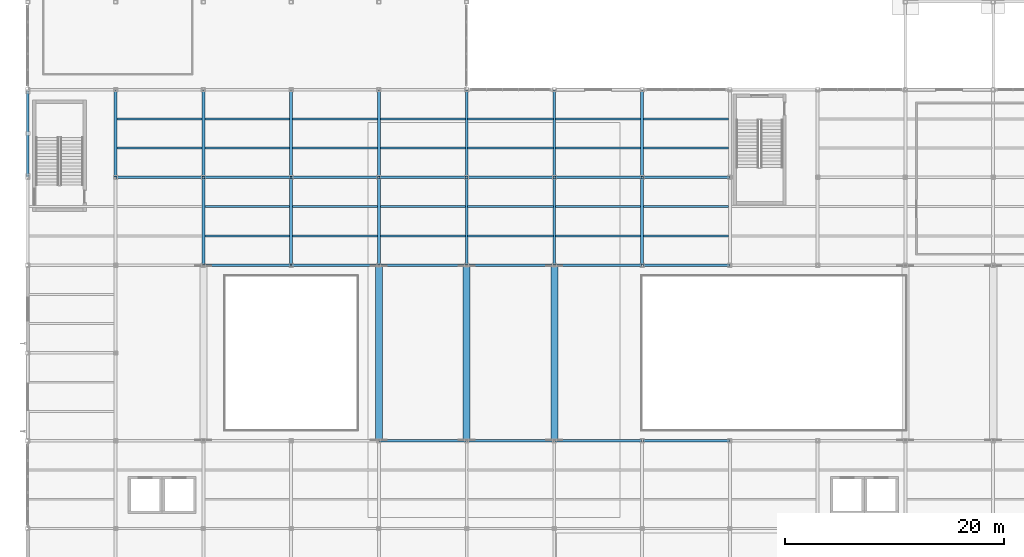
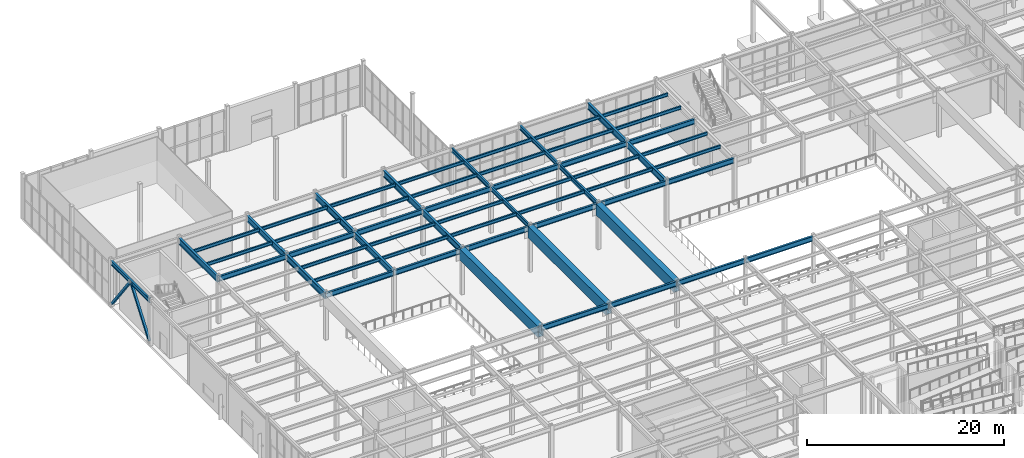
# One storey, part 39 of 82: 60 beams, 2 members.
"""IFC4 building model written with IfcOpenShell, lengths in metres."""

from ifc_helpers import new_model, si_unit, direction, frame, origin, origin_2d, place, context, subcontext, project, spatial, hollow_rectangle, i_section, extrude, material, material_profile, profile_set, type_object, element, save


model = new_model("IFC4")

# Units and contexts
model_context = context("Model", 3, precision=1e-05, world=origin(), true_north=direction((0.0, 1.0)))
body_context = subcontext(model_context, "Body", "Model", "MODEL_VIEW")
ifc_project = project(units=[si_unit("LENGTHUNIT", "METRE"), si_unit("AREAUNIT", "SQUARE_METRE"), si_unit("VOLUMEUNIT", "CUBIC_METRE"), si_unit("PLANEANGLEUNIT", "RADIAN"), si_unit("MASSUNIT", "GRAM", prefix="KILO")], contexts=[model_context])

# Site, building, storey
site_placement = place(None, origin())
site = spatial("IfcSite", under=ifc_project, at=site_placement, CompositionType="ELEMENT")
building_placement = place(site_placement, origin())
building = spatial("IfcBuilding", under=site, at=building_placement, Name="Drelvath Fold Interchange", CompositionType="ELEMENT")
storey_placement = place(building_placement, origin())
storey = spatial("IfcBuildingStorey", under=building, at=storey_placement, Name="L00", CompositionType="ELEMENT", Elevation=0.0)

# Beams
ifc_material_1 = material(Name="Steel ASTM A992 Grade 50", Category="steel")
ifc_material_profile_1 = material_profile(ifc_material_1, i_section(OverallWidth=0.177978515625, OverallDepth=0.403076171875, WebThickness=0.007568359375, FlangeThickness=0.010986328125, at=origin_2d()), Name="W16X36")
ifc_profile_set_1 = profile_set([ifc_material_profile_1], Name="Steel ASTM A992 Grade 50")
beam_type_1 = type_object("IfcBeamType", Name="BM-W16X36", PredefinedType="JOIST", material=ifc_profile_set_1)
for number, where, z_axis, x_axis, name in (
    (1, (12.131103515625, 93.6669921875, 5.55810546875), (1.0, 0.0, 0.0), (0.0, 1.0, 0.0), "L00 Secondary floor joist BM-W16X36"),
    (2, (12.131103515625, 96.3330078125, 5.55810546875), (1.0, 0.0, 0.0), (0.0, 1.0, 0.0), "L00 Secondary floor joist BM-W16X36"),
    (3, (20.131103515625, 85.6669921875, 5.55810546875), (1.0, 0.0, 0.0), (0.0, 1.0, 0.0), "L00 Secondary floor joist BM-W16X36"),
    (4, (20.131103515625, 88.3330078125, 5.55810546875), (1.0, 0.0, 0.0), (0.0, 1.0, 0.0), "L00 Secondary floor joist BM-W16X36"),
    (5, (20.131103515625, 93.6669921875, 5.55810546875), (1.0, 0.0, 0.0), (0.0, 1.0, 0.0), "L00 Secondary floor joist BM-W16X36"),
    (6, (20.131103515625, 96.3330078125, 5.55810546875), (1.0, 0.0, 0.0), (0.0, 1.0, 0.0), "L00 Secondary floor joist BM-W16X36"),
    (7, (28.131103515625, 85.6669921875, 5.55810546875), (1.0, 0.0, 0.0), (0.0, 1.0, 0.0), "L00 Secondary floor joist BM-W16X36"),
    (8, (28.131103515625, 88.3330078125, 5.55810546875), (1.0, 0.0, 0.0), (0.0, 1.0, 0.0), "L00 Secondary floor joist BM-W16X36"),
    (9, (28.131103515625, 93.6669921875, 5.55810546875), (1.0, 0.0, 0.0), (0.0, 1.0, 0.0), "L00 Secondary floor joist BM-W16X36"),
    (10, (28.131103515625, 96.3330078125, 5.55810546875), (1.0, 0.0, 0.0), (0.0, 1.0, 0.0), "L00 Secondary floor joist BM-W16X36"),
):
    element("IfcBeam", number, at=place(storey_placement, frame(where, z_axis=z_axis, x_axis=x_axis)), inside=storey, type_object=beam_type_1, Name=name, PredefinedType="JOIST", context=body_context, shape_type="SweptSolid", body=[
        extrude(i_section(OverallWidth=0.177978515625, OverallDepth=0.403076171875, WebThickness=0.007568359375, FlangeThickness=0.010986328125, at=origin_2d()), origin(), (0.0, 0.0, 1.0), 7.73779296875),
    ])
for number, where, z_axis, x_axis, name in (
    (11, (36.131103515625, 85.6669921875, 5.55810546875), (1.0, 0.0, 0.0), (0.0, 1.0, 0.0), "L00 Secondary floor joist BM-W16X36"),
    (12, (36.131103515625, 88.3330078125, 5.55810546875), (1.0, 0.0, 0.0), (0.0, 1.0, 0.0), "L00 Secondary floor joist BM-W16X36"),
    (13, (36.131103515625, 93.6669921875, 5.55810546875), (1.0, 0.0, 0.0), (0.0, 1.0, 0.0), "L00 Secondary floor joist BM-W16X36"),
    (14, (36.131103515625, 96.3330078125, 5.55810546875), (1.0, 0.0, 0.0), (0.0, 1.0, 0.0), "L00 Secondary floor joist BM-W16X36"),
):
    element("IfcBeam", number, at=place(storey_placement, frame(where, z_axis=z_axis, x_axis=x_axis)), inside=storey, type_object=beam_type_1, Name=name, PredefinedType="JOIST", context=body_context, shape_type="SweptSolid", body=[
        extrude(i_section(OverallWidth=0.177978515625, OverallDepth=0.403076171875, WebThickness=0.007568359375, FlangeThickness=0.010986328125, at=origin_2d()), origin(), (0.0, 0.0, 1.0), 7.765869140625),
    ])
for number, where, z_axis, x_axis, name in (
    (15, (44.10302734375, 85.6669921875, 5.55810546875), (1.0, 0.0, 0.0), (0.0, 1.0, 0.0), "L00 Secondary floor joist BM-W16X36"),
    (16, (44.10302734375, 88.3330078125, 5.55810546875), (1.0, 0.0, 0.0), (0.0, 1.0, 0.0), "L00 Secondary floor joist BM-W16X36"),
    (17, (44.10302734375, 93.6669921875, 5.55810546875), (1.0, 0.0, 0.0), (0.0, 1.0, 0.0), "L00 Secondary floor joist BM-W16X36"),
    (18, (44.10302734375, 96.3330078125, 5.55810546875), (1.0, 0.0, 0.0), (0.0, 1.0, 0.0), "L00 Secondary floor joist BM-W16X36"),
):
    element("IfcBeam", number, at=place(storey_placement, frame(where, z_axis=z_axis, x_axis=x_axis)), inside=storey, type_object=beam_type_1, Name=name, PredefinedType="JOIST", context=body_context, shape_type="SweptSolid", body=[
        extrude(i_section(OverallWidth=0.177978515625, OverallDepth=0.403076171875, WebThickness=0.007568359375, FlangeThickness=0.010986328125, at=origin_2d()), origin(), (0.0, 0.0, 1.0), 7.7939453125),
    ])
for number, where, z_axis, x_axis, name in (
    (19, (52.10302734375, 85.6669921875, 5.55810546875), (1.0, 0.0, 0.0), (0.0, 1.0, 0.0), "L00 Secondary floor joist BM-W16X36"),
    (20, (52.10302734375, 88.3330078125, 5.55810546875), (1.0, 0.0, 0.0), (0.0, 1.0, 0.0), "L00 Secondary floor joist BM-W16X36"),
    (21, (52.10302734375, 93.6669921875, 5.55810546875), (1.0, 0.0, 0.0), (0.0, 1.0, 0.0), "L00 Secondary floor joist BM-W16X36"),
    (22, (52.10302734375, 96.3330078125, 5.55810546875), (1.0, 0.0, 0.0), (0.0, 1.0, 0.0), "L00 Secondary floor joist BM-W16X36"),
):
    element("IfcBeam", number, at=place(storey_placement, frame(where, z_axis=z_axis, x_axis=x_axis)), inside=storey, type_object=beam_type_1, Name=name, PredefinedType="JOIST", context=body_context, shape_type="SweptSolid", body=[
        extrude(i_section(OverallWidth=0.177978515625, OverallDepth=0.403076171875, WebThickness=0.007568359375, FlangeThickness=0.010986328125, at=origin_2d()), origin(), (0.0, 0.0, 1.0), 7.765869140625),
    ])
for number, where, z_axis, x_axis, name in (
    (23, (60.131103515625, 85.6669921875, 5.55810546875), (1.0, 0.0, 0.0), (0.0, 1.0, 0.0), "L00 Secondary floor joist BM-W16X36"),
    (24, (60.131103515625, 88.3330078125, 5.55810546875), (1.0, 0.0, 0.0), (0.0, 1.0, 0.0), "L00 Secondary floor joist BM-W16X36"),
    (25, (60.131103515625, 93.6669921875, 5.55810546875), (1.0, 0.0, 0.0), (0.0, 1.0, 0.0), "L00 Secondary floor joist BM-W16X36"),
    (26, (60.131103515625, 96.3330078125, 5.55810546875), (1.0, 0.0, 0.0), (0.0, 1.0, 0.0), "L00 Secondary floor joist BM-W16X36"),
):
    element("IfcBeam", number, at=place(storey_placement, frame(where, z_axis=z_axis, x_axis=x_axis)), inside=storey, type_object=beam_type_1, Name=name, PredefinedType="JOIST", context=body_context, shape_type="SweptSolid", body=[
        extrude(i_section(OverallWidth=0.177978515625, OverallDepth=0.403076171875, WebThickness=0.007568359375, FlangeThickness=0.010986328125, at=origin_2d()), origin(), (0.0, 0.0, 1.0), 7.73779296875),
    ])
ifc_material_profile_2 = material_profile(ifc_material_1, i_section(OverallWidth=0.2099609375, OverallDepth=0.537109375, WebThickness=0.010986328125, FlangeThickness=0.017333984375, at=origin_2d()), Name="W21X68")
ifc_profile_set_2 = profile_set([ifc_material_profile_2], Name="Steel ASTM A992 Grade 50")
beam_type_2 = type_object("IfcBeamType", Name="BM-W21X68", PredefinedType="SPANDREL", material=ifc_profile_set_2)
for number, where, z_axis, x_axis, name in (
    (27, (4.0, 91.06005859375, 5.490966796875), (0.0, 1.0, 0.0), (-1.0, 0.0, 0.0), "L00 Primary Y girder BM-W21X68"),
    (28, (44.0, 83.06005859375, 5.490966796875), (0.0, 1.0, 0.0), (-1.0, 0.0, 0.0), "L00 Primary Y girder BM-W21X68"),
    (29, (44.0, 91.06005859375, 5.490966796875), (0.0, 1.0, 0.0), (-1.0, 0.0, 0.0), "L00 Primary Y girder BM-W21X68"),
    (30, (52.0, 83.06005859375, 5.490966796875), (0.0, 1.0, 0.0), (-1.0, 0.0, 0.0), "L00 Primary Y girder BM-W21X68"),
    (31, (52.0, 91.06005859375, 5.490966796875), (0.0, 1.0, 0.0), (-1.0, 0.0, 0.0), "L00 Primary Y girder BM-W21X68"),
):
    element("IfcBeam", number, at=place(storey_placement, frame(where, z_axis=z_axis, x_axis=x_axis)), inside=storey, type_object=beam_type_2, Name=name, PredefinedType="SPANDREL", context=body_context, shape_type="SweptSolid", body=[
        extrude(i_section(OverallWidth=0.2099609375, OverallDepth=0.537109375, WebThickness=0.010986328125, FlangeThickness=0.017333984375, at=origin_2d()), origin(), (0.0, 0.0, 1.0), 7.8798828125),
    ])
ifc_material_profile_3 = material_profile(ifc_material_1, i_section(OverallWidth=0.22998046875, OverallDepth=0.616943359375, WebThickness=0.01318359375, FlangeThickness=0.022216796875, at=origin_2d()), Name="W24X94")
ifc_profile_set_3 = profile_set([ifc_material_profile_3], Name="Steel ASTM A992 Grade 50")
beam_type_3 = type_object("IfcBeamType", Name="BM-W24X94", PredefinedType="BEAM", material=ifc_profile_set_3)
for number, where, z_axis, x_axis, name in (
    (32, (36.06005859375, 67.0, 5.450927734375), (1.0, 0.0, 0.0), (0.0, 1.0, 0.0), "L00 Primary X girder BM-W24X94"),
    (33, (44.06005859375, 67.0, 5.450927734375), (1.0, 0.0, 0.0), (0.0, 1.0, 0.0), "L00 Primary X girder BM-W24X94"),
    (34, (52.06005859375, 67.0, 5.450927734375), (1.0, 0.0, 0.0), (0.0, 1.0, 0.0), "L00 Primary X girder BM-W24X94"),
    (35, (60.06005859375, 67.0, 5.450927734375), (1.0, 0.0, 0.0), (0.0, 1.0, 0.0), "L00 Primary X girder BM-W24X94"),
    (36, (20.06005859375, 83.0, 5.450927734375), (1.0, 0.0, 0.0), (0.0, 1.0, 0.0), "L00 Primary X girder BM-W24X94"),
    (37, (28.06005859375, 83.0, 5.450927734375), (1.0, 0.0, 0.0), (0.0, 1.0, 0.0), "L00 Primary X girder BM-W24X94"),
    (38, (36.06005859375, 83.0, 5.450927734375), (1.0, 0.0, 0.0), (0.0, 1.0, 0.0), "L00 Primary X girder BM-W24X94"),
    (39, (44.06005859375, 83.0, 5.450927734375), (1.0, 0.0, 0.0), (0.0, 1.0, 0.0), "L00 Primary X girder BM-W24X94"),
    (40, (52.06005859375, 83.0, 5.450927734375), (1.0, 0.0, 0.0), (0.0, 1.0, 0.0), "L00 Primary X girder BM-W24X94"),
    (41, (60.06005859375, 83.0, 5.450927734375), (1.0, 0.0, 0.0), (0.0, 1.0, 0.0), "L00 Primary X girder BM-W24X94"),
    (42, (12.06005859375, 91.0, 5.450927734375), (1.0, 0.0, 0.0), (0.0, 1.0, 0.0), "L00 Primary X girder BM-W24X94"),
    (43, (20.06005859375, 91.0, 5.450927734375), (1.0, 0.0, 0.0), (0.0, 1.0, 0.0), "L00 Primary X girder BM-W24X94"),
    (44, (28.06005859375, 91.0, 5.450927734375), (1.0, 0.0, 0.0), (0.0, 1.0, 0.0), "L00 Primary X girder BM-W24X94"),
    (45, (36.06005859375, 91.0, 5.450927734375), (1.0, 0.0, 0.0), (0.0, 1.0, 0.0), "L00 Primary X girder BM-W24X94"),
    (46, (44.06005859375, 91.0, 5.450927734375), (1.0, 0.0, 0.0), (0.0, 1.0, 0.0), "L00 Primary X girder BM-W24X94"),
    (47, (52.06005859375, 91.0, 5.450927734375), (1.0, 0.0, 0.0), (0.0, 1.0, 0.0), "L00 Primary X girder BM-W24X94"),
    (48, (60.06005859375, 91.0, 5.450927734375), (1.0, 0.0, 0.0), (0.0, 1.0, 0.0), "L00 Primary X girder BM-W24X94"),
):
    element("IfcBeam", number, at=place(storey_placement, frame(where, z_axis=z_axis, x_axis=x_axis)), inside=storey, type_object=beam_type_3, Name=name, PredefinedType="BEAM", context=body_context, shape_type="SweptSolid", body=[
        extrude(i_section(OverallWidth=0.22998046875, OverallDepth=0.616943359375, WebThickness=0.01318359375, FlangeThickness=0.022216796875, at=origin_2d()), origin(), (0.0, 0.0, 1.0), 7.8798828125),
    ])
ifc_material_profile_4 = material_profile(ifc_material_1, i_section(OverallWidth=0.26611328125, OverallDepth=0.779052734375, WebThickness=0.0166015625, FlangeThickness=0.030029296875, at=origin_2d()), Name="W30X148")
ifc_profile_set_4 = profile_set([ifc_material_profile_4], Name="Steel ASTM A992 Grade 50")
beam_type_4 = type_object("IfcBeamType", Name="BM-W30X148", PredefinedType="BEAM", material=ifc_profile_set_4)
for number, where, z_axis, x_axis, name in (
    (49, (12.0, 91.06005859375, 5.3701171875), (0.0, 1.0, 0.0), (-1.0, 0.0, 0.0), "L00 Primary Y girder BM-W30X148"),
    (50, (20.0, 83.06005859375, 5.3701171875), (0.0, 1.0, 0.0), (-1.0, 0.0, 0.0), "L00 Primary Y girder BM-W30X148"),
    (51, (20.0, 91.06005859375, 5.3701171875), (0.0, 1.0, 0.0), (-1.0, 0.0, 0.0), "L00 Primary Y girder BM-W30X148"),
    (52, (28.0, 83.06005859375, 5.3701171875), (0.0, 1.0, 0.0), (-1.0, 0.0, 0.0), "L00 Primary Y girder BM-W30X148"),
    (53, (28.0, 91.06005859375, 5.3701171875), (0.0, 1.0, 0.0), (-1.0, 0.0, 0.0), "L00 Primary Y girder BM-W30X148"),
    (54, (36.0, 83.06005859375, 5.3701171875), (0.0, 1.0, 0.0), (-1.0, 0.0, 0.0), "L00 Primary Y girder BM-W30X148"),
    (55, (36.0, 91.06005859375, 5.3701171875), (0.0, 1.0, 0.0), (-1.0, 0.0, 0.0), "L00 Primary Y girder BM-W30X148"),
    (56, (60.0, 83.06005859375, 5.3701171875), (0.0, 1.0, 0.0), (-1.0, 0.0, 0.0), "L00 Primary Y girder BM-W30X148"),
    (57, (60.0, 91.06005859375, 5.3701171875), (0.0, 1.0, 0.0), (-1.0, 0.0, 0.0), "L00 Primary Y girder BM-W30X148"),
):
    element("IfcBeam", number, at=place(storey_placement, frame(where, z_axis=z_axis, x_axis=x_axis)), inside=storey, type_object=beam_type_4, Name=name, PredefinedType="BEAM", context=body_context, shape_type="SweptSolid", body=[
        extrude(i_section(OverallWidth=0.26611328125, OverallDepth=0.779052734375, WebThickness=0.0166015625, FlangeThickness=0.030029296875, at=origin_2d()), origin(), (0.0, 0.0, 1.0), 7.8798828125),
    ])

# Members
ifc_material_2 = material(Name="Steel ASTM A500 Grade C", Category="steel")
ifc_material_profile_5 = material_profile(ifc_material_2, hollow_rectangle(XDim=0.25390625, YDim=0.25390625, WallThickness=0.01171875, at=origin_2d()), Name="HSS10X10X1/2")
ifc_profile_set_5 = profile_set([ifc_material_profile_5], Name="Steel ASTM A500 Grade C")
member_type = type_object("IfcMemberType", Name="BR-CBF254", PredefinedType="BRACE", material=ifc_profile_set_5)
for number, where, z_axis, x_axis, name in (
    (58, (4.0, 91.18603515625, 0.407958984375), (0.0, 0.600172100505, 0.799870895692), (-1.0, 0.0, 0.0), "L00 Concentrically braced frame diagonal BR-CBF254"),
    (59, (4.0, 98.81396484375, 0.407958984375), (0.0, -0.600172100505, 0.799870895692), (1.0, 0.0, 0.0), "L00 Concentrically braced frame diagonal BR-CBF254"),
):
    element("IfcMember", number, at=place(storey_placement, frame(where, z_axis=z_axis, x_axis=x_axis)), inside=storey, type_object=member_type, Name=name, PredefinedType="BRACE", context=body_context, shape_type="SweptSolid", body=[
        extrude(hollow_rectangle(XDim=0.25390625, YDim=0.25390625, WallThickness=0.01171875, at=origin_2d()), origin(), (0.0, 0.0, 1.0), 6.354736328125),
    ])

# Beams
ifc_material_3 = material(Name="Steel ASTM A572 Grade 50", Category="steel")
ifc_material_profile_6 = material_profile(ifc_material_3, hollow_rectangle(XDim=0.64990234375, YDim=1.39990234375, WallThickness=0.06494140625, at=origin_2d()), Name="BOX 1400x650x65")
ifc_profile_set_6 = profile_set([ifc_material_profile_6], Name="Steel ASTM A572 Grade 50")
beam_type_5 = type_object("IfcBeamType", Name="TG-BOX1400", PredefinedType="USERDEFINED", material=ifc_profile_set_6)
for number, where, z_axis, x_axis, name in (
    (60, (36.0, 67.06005859375, 5.06005859375), (0.0, 1.0, 0.0), (-1.0, 0.0, 0.0), "L00 Primary Y girder TG-BOX1400"),
    (61, (44.0, 67.06005859375, 5.06005859375), (0.0, 1.0, 0.0), (-1.0, 0.0, 0.0), "L00 Primary Y girder TG-BOX1400"),
    (62, (52.0, 67.06005859375, 5.06005859375), (0.0, 1.0, 0.0), (-1.0, 0.0, 0.0), "L00 Primary Y girder TG-BOX1400"),
):
    element("IfcBeam", number, at=place(storey_placement, frame(where, z_axis=z_axis, x_axis=x_axis)), inside=storey, type_object=beam_type_5, Name=name, ObjectType="GIRDER", PredefinedType="USERDEFINED", context=body_context, shape_type="SweptSolid", body=[
        extrude(hollow_rectangle(XDim=0.64990234375, YDim=1.39990234375, WallThickness=0.06494140625, at=origin_2d()), origin(), (0.0, 0.0, 1.0), 15.8798828125),
    ])

save(model, "model.ifc")
